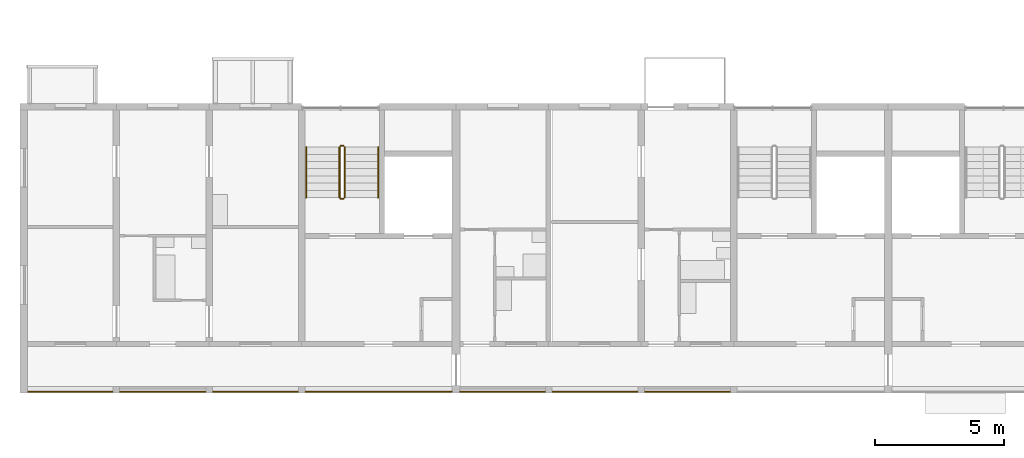
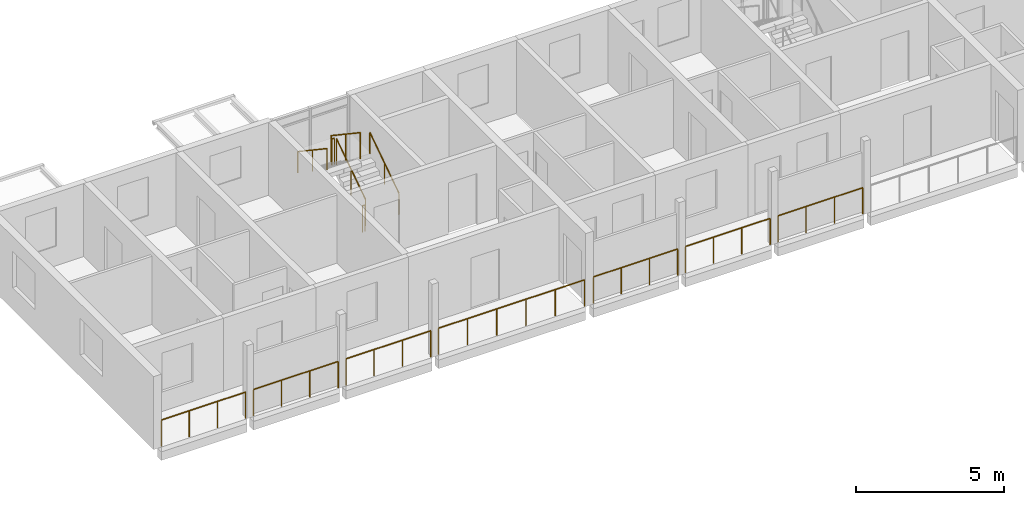
# One storey, part 73 of 100: 13 railings.
"""IFC4 building model written with IfcOpenShell, lengths in metres."""

from ifc_helpers import new_model, si_unit, direction, frame, origin, origin_2d, place, context, subcontext, project, spatial, circle, extrude, material, type_object, element, save


model = new_model("IFC4")

# Units and contexts
model_context = context("Model", 3, precision=1e-05, world=origin(), true_north=direction((0.0, 1.0)))
body_context = subcontext(model_context, "Body", "Model", "MODEL_VIEW")
ifc_project = project(units=[si_unit("LENGTHUNIT", "METRE"), si_unit("AREAUNIT", "SQUARE_METRE"), si_unit("VOLUMEUNIT", "CUBIC_METRE"), si_unit("PLANEANGLEUNIT", "RADIAN"), si_unit("MASSUNIT", "GRAM", prefix="KILO")], contexts=[model_context])

# Site, building, storey
site_placement = place(None, origin())
site = spatial("IfcSite", under=ifc_project, at=site_placement, CompositionType="ELEMENT")
building_placement = place(site_placement, origin())
building = spatial("IfcBuilding", under=site, at=building_placement, Name="Ridgestep Commons", CompositionType="ELEMENT")
storey_placement = place(building_placement, frame((0.0, 0.0, 9.0)))
storey = spatial("IfcBuildingStorey", under=building, at=storey_placement, Name="L03", CompositionType="ELEMENT", Elevation=9.0)

# Railings
ifc_material_1 = material(Name="Structural steel S355JR", Category="steel")
railing_type_1 = type_object("IfcRailingType", Name="Guard 1100", PredefinedType="GUARDRAIL", material=ifc_material_1)
railing_1_placement = place(storey_placement, frame((12.1708984375, 11.800048828125, 0.0)))
element("IfcRailing", 1, at=railing_1_placement, inside=storey, type_object=railing_type_1, Name="Gallery guard A 03.1", PredefinedType="GUARDRAIL", context=body_context, shape_type="SweptSolid", body=[
    extrude(circle(Radius=0.02392578125, at=origin_2d()), frame((0.0, 0.0, 1.076171875), z_axis=(1.0, 0.0, 0.0), x_axis=(0.0, 1.0, 0.0)), (0.0, 0.0, 1.0), 3.283203125),
    extrude(circle(Radius=0.02099609375, at=origin_2d()), origin(), (0.0, 0.0, 1.0), 1.052001953125),
    extrude(circle(Radius=0.02099609375, at=origin_2d()), frame((1.094482421875, 0.0, 0.0)), (0.0, 0.0, 1.0), 1.052001953125),
    extrude(circle(Radius=0.02099609375, at=origin_2d()), frame((2.188720703125, 0.0, 0.0)), (0.0, 0.0, 1.0), 1.052001953125),
    extrude(circle(Radius=0.02099609375, at=origin_2d()), frame((3.283203125, 0.0, 0.0)), (0.0, 0.0, 1.0), 1.052001953125),
])
railing_2_placement = place(storey_placement, frame((15.74609375, 11.800048828125, 0.0)))
element("IfcRailing", 2, at=railing_2_placement, inside=storey, type_object=railing_type_1, Name="Gallery guard A 03.2", PredefinedType="GUARDRAIL", context=body_context, shape_type="SweptSolid", body=[
    extrude(circle(Radius=0.02392578125, at=origin_2d()), frame((0.0, 0.0, 1.076171875), z_axis=(1.0, 0.0, 0.0), x_axis=(0.0, 1.0, 0.0)), (0.0, 0.0, 1.0), 3.307861328125),
    extrude(circle(Radius=0.02099609375, at=origin_2d()), origin(), (0.0, 0.0, 1.0), 1.052001953125),
    extrude(circle(Radius=0.02099609375, at=origin_2d()), frame((1.1025390625, 0.0, 0.0)), (0.0, 0.0, 1.0), 1.052001953125),
    extrude(circle(Radius=0.02099609375, at=origin_2d()), frame((2.205322265625, 0.0, 0.0)), (0.0, 0.0, 1.0), 1.052001953125),
    extrude(circle(Radius=0.02099609375, at=origin_2d()), frame((3.307861328125, 0.0, 0.0)), (0.0, 0.0, 1.0), 1.052001953125),
])
railing_3_placement = place(storey_placement, frame((19.345947265625, 11.800048828125, 0.0)))
element("IfcRailing", 3, at=railing_3_placement, inside=storey, type_object=railing_type_1, Name="Gallery guard A 03.3", PredefinedType="GUARDRAIL", context=body_context, shape_type="SweptSolid", body=[
    extrude(circle(Radius=0.02392578125, at=origin_2d()), frame((0.0, 0.0, 1.076171875), z_axis=(1.0, 0.0, 0.0), x_axis=(0.0, 1.0, 0.0)), (0.0, 0.0, 1.0), 3.30810546875),
    extrude(circle(Radius=0.02099609375, at=origin_2d()), origin(), (0.0, 0.0, 1.0), 1.052001953125),
    extrude(circle(Radius=0.02099609375, at=origin_2d()), frame((1.102783203125, 0.0, 0.0)), (0.0, 0.0, 1.0), 1.052001953125),
    extrude(circle(Radius=0.02099609375, at=origin_2d()), frame((2.205322265625, 0.0, 0.0)), (0.0, 0.0, 1.0), 1.052001953125),
    extrude(circle(Radius=0.02099609375, at=origin_2d()), frame((3.30810546875, 0.0, 0.0)), (0.0, 0.0, 1.0), 1.052001953125),
])
railing_4_placement = place(storey_placement, frame((22.946044921875, 11.800048828125, 0.0)))
element("IfcRailing", 4, at=railing_4_placement, inside=storey, type_object=railing_type_1, Name="Gallery guard A 03.4", PredefinedType="GUARDRAIL", context=body_context, shape_type="SweptSolid", body=[
    extrude(circle(Radius=0.02392578125, at=origin_2d()), frame((0.0, 0.0, 1.076171875), z_axis=(1.0, 0.0, 0.0), x_axis=(0.0, 1.0, 0.0)), (0.0, 0.0, 1.0), 5.682861328125),
    extrude(circle(Radius=0.02099609375, at=origin_2d()), origin(), (0.0, 0.0, 1.0), 1.052001953125),
    extrude(circle(Radius=0.02099609375, at=origin_2d()), frame((1.136474609375, 0.0, 0.0)), (0.0, 0.0, 1.0), 1.052001953125),
    extrude(circle(Radius=0.02099609375, at=origin_2d()), frame((2.273193359375, 0.0, 0.0)), (0.0, 0.0, 1.0), 1.052001953125),
    extrude(circle(Radius=0.02099609375, at=origin_2d()), frame((3.40966796875, 0.0, 0.0)), (0.0, 0.0, 1.0), 1.052001953125),
    extrude(circle(Radius=0.02099609375, at=origin_2d()), frame((4.54638671875, 0.0, 0.0)), (0.0, 0.0, 1.0), 1.052001953125),
    extrude(circle(Radius=0.02099609375, at=origin_2d()), frame((5.682861328125, 0.0, 0.0)), (0.0, 0.0, 1.0), 1.052001953125),
])
railing_5_placement = place(storey_placement, frame((28.970947265625, 11.800048828125, 0.0)))
element("IfcRailing", 5, at=railing_5_placement, inside=storey, type_object=railing_type_1, Name="Gallery guard A 03.5", PredefinedType="GUARDRAIL", context=body_context, shape_type="SweptSolid", body=[
    extrude(circle(Radius=0.02392578125, at=origin_2d()), frame((0.0, 0.0, 1.076171875), z_axis=(1.0, 0.0, 0.0), x_axis=(0.0, 1.0, 0.0)), (0.0, 0.0, 1.0), 3.282958984375),
    extrude(circle(Radius=0.02099609375, at=origin_2d()), origin(), (0.0, 0.0, 1.0), 1.052001953125),
    extrude(circle(Radius=0.02099609375, at=origin_2d()), frame((1.09423828125, 0.0, 0.0)), (0.0, 0.0, 1.0), 1.052001953125),
    extrude(circle(Radius=0.02099609375, at=origin_2d()), frame((2.188720703125, 0.0, 0.0)), (0.0, 0.0, 1.0), 1.052001953125),
    extrude(circle(Radius=0.02099609375, at=origin_2d()), frame((3.282958984375, 0.0, 0.0)), (0.0, 0.0, 1.0), 1.052001953125),
])
for number, where, name in (
    (6, (32.5458984375, 11.800048828125, 0.0), "Gallery guard A 03.6"),
    (7, (36.14599609375, 11.800048828125, 0.0), "Gallery guard A 03.7"),
):
    element("IfcRailing", number, at=place(storey_placement, frame(where)), inside=storey, type_object=railing_type_1, Name=name, PredefinedType="GUARDRAIL", context=body_context, shape_type="SweptSolid", body=[
        extrude(circle(Radius=0.02392578125, at=origin_2d()), frame((0.0, 0.0, 1.076171875), z_axis=(1.0, 0.0, 0.0), x_axis=(0.0, 1.0, 0.0)), (0.0, 0.0, 1.0), 3.30810546875),
        extrude(circle(Radius=0.02099609375, at=origin_2d()), origin(), (0.0, 0.0, 1.0), 1.052001953125),
        extrude(circle(Radius=0.02099609375, at=origin_2d()), frame((1.102783203125, 0.0, 0.0)), (0.0, 0.0, 1.0), 1.052001953125),
        extrude(circle(Radius=0.02099609375, at=origin_2d()), frame((2.205322265625, 0.0, 0.0)), (0.0, 0.0, 1.0), 1.052001953125),
        extrude(circle(Radius=0.02099609375, at=origin_2d()), frame((3.30810546875, 0.0, 0.0)), (0.0, 0.0, 1.0), 1.052001953125),
    ])
ifc_material_2 = material(Name="Structural steel S355JR", Category="steel")
railing_type_2 = type_object("IfcRailingType", Name="Stair guard 1100", PredefinedType="GUARDRAIL", material=ifc_material_2)
railing_6_placement = place(storey_placement, frame((24.47509765625, 19.35009765625, 0.1875)))
element("IfcRailing", 8, at=railing_6_placement, inside=storey, type_object=railing_type_2, Name="L03 A1C stair guard 1", PredefinedType="GUARDRAIL", context=body_context, shape_type="SweptSolid", body=[
    extrude(circle(Radius=0.02392578125, at=origin_2d()), frame((0.0, 0.0, 1.076171875), z_axis=(0.0, 0.830902050051, 0.556418712142), x_axis=(-1.0, 0.0, 0.0)), (0.0, 0.0, 1.0), 2.35888671875),
    extrude(circle(Radius=0.02099609375, at=origin_2d()), origin(), (0.0, 0.0, 1.0), 1.052001953125),
    extrude(circle(Radius=0.02099609375, at=origin_2d()), frame((0.0, 0.97998046875, 0.65625)), (0.0, 0.0, 1.0), 1.052001953125),
    extrude(circle(Radius=0.02099609375, at=origin_2d()), frame((0.0, 1.9599609375, 1.3125)), (0.0, 0.0, 1.0), 1.052001953125),
])
railing_7_placement = place(storey_placement, frame((24.425048828125, 21.360107421875, 1.5)))
element("IfcRailing", 9, at=railing_7_placement, inside=storey, type_object=railing_type_2, Name="L03 A1C stair guard 2", PredefinedType="GUARDRAIL", context=body_context, shape_type="SweptSolid", body=[
    extrude(circle(Radius=0.02392578125, at=origin_2d()), frame((0.0, 0.0, 1.076171875), z_axis=(-1.0, 0.0, 0.0), x_axis=(0.0, -1.0, 0.0)), (0.0, 0.0, 1.0), 0.10009765625),
    extrude(circle(Radius=0.02099609375, at=origin_2d()), origin(), (0.0, 0.0, 1.0), 1.052001953125),
    extrude(circle(Radius=0.02099609375, at=origin_2d()), frame((-0.10009765625, 0.0, 0.0)), (0.0, 0.0, 1.0), 1.052001953125),
])
railing_8_placement = place(storey_placement, frame((24.27490234375, 21.31005859375, 1.6875)))
element("IfcRailing", 10, at=railing_8_placement, inside=storey, type_object=railing_type_2, Name="L03 A1C stair guard 3", PredefinedType="GUARDRAIL", context=body_context, shape_type="SweptSolid", body=[
    extrude(circle(Radius=0.02392578125, at=origin_2d()), frame((0.0, 0.0, 1.076171875), z_axis=(0.0, -0.830902050051, 0.556418712142), x_axis=(1.0, 0.0, 0.0)), (0.0, 0.0, 1.0), 2.35888671875),
    extrude(circle(Radius=0.02099609375, at=origin_2d()), origin(), (0.0, 0.0, 1.0), 1.052001953125),
    extrude(circle(Radius=0.02099609375, at=origin_2d()), frame((0.0, -0.97998046875, 0.65625)), (0.0, 0.0, 1.0), 1.052001953125),
    extrude(circle(Radius=0.02099609375, at=origin_2d()), frame((0.0, -1.9599609375, 1.3125)), (0.0, 0.0, 1.0), 1.052001953125),
])
railing_9_placement = place(storey_placement, frame((24.425048828125, 19.300048828125, 0.0)))
element("IfcRailing", 11, at=railing_9_placement, inside=storey, type_object=railing_type_2, Name="L03 A1C stair guard 4", PredefinedType="GUARDRAIL", context=body_context, shape_type="SweptSolid", body=[
    extrude(circle(Radius=0.02392578125, at=origin_2d()), frame((0.0, 0.0, 1.076171875), z_axis=(-1.0, 0.0, 0.0), x_axis=(0.0, -1.0, 0.0)), (0.0, 0.0, 1.0), 0.10009765625),
    extrude(circle(Radius=0.02099609375, at=origin_2d()), origin(), (0.0, 0.0, 1.0), 1.052001953125),
    extrude(circle(Radius=0.02099609375, at=origin_2d()), frame((-0.10009765625, 0.0, 0.0)), (0.0, 0.0, 1.0), 1.052001953125),
])
ifc_material_3 = material(Name="Structural steel S355JR", Category="steel")
railing_type_3 = type_object("IfcRailingType", Name="Stair handrail 900", PredefinedType="HANDRAIL", material=ifc_material_3)
railing_10_placement = place(storey_placement, frame((25.77490234375, 19.35009765625, 0.1875)))
element("IfcRailing", 12, at=railing_10_placement, inside=storey, type_object=railing_type_3, Name="L03 A1C stair handrail 1", PredefinedType="HANDRAIL", context=body_context, shape_type="SweptSolid", body=[
    extrude(circle(Radius=0.02392578125, at=origin_2d()), frame((0.0, 0.0, 0.8759765625), z_axis=(0.0, 0.830902050051, 0.556418712142), x_axis=(-1.0, 0.0, 0.0)), (0.0, 0.0, 1.0), 2.35888671875),
    extrude(circle(Radius=0.02099609375, at=origin_2d()), origin(), (0.0, 0.0, 1.0), 0.851806640625),
    extrude(circle(Radius=0.02099609375, at=origin_2d()), frame((0.0, 0.97998046875, 0.65625)), (0.0, 0.0, 1.0), 0.851806640625),
    extrude(circle(Radius=0.02099609375, at=origin_2d()), frame((0.0, 1.9599609375, 1.3125)), (0.0, 0.0, 1.0), 0.851806640625),
])
railing_11_placement = place(storey_placement, frame((22.97509765625, 21.31005859375, 1.6875)))
element("IfcRailing", 13, at=railing_11_placement, inside=storey, type_object=railing_type_3, Name="L03 A1C stair handrail 2", PredefinedType="HANDRAIL", context=body_context, shape_type="SweptSolid", body=[
    extrude(circle(Radius=0.02392578125, at=origin_2d()), frame((0.0, 0.0, 0.8759765625), z_axis=(0.0, -0.830902050051, 0.556418712142), x_axis=(1.0, 0.0, 0.0)), (0.0, 0.0, 1.0), 2.35888671875),
    extrude(circle(Radius=0.02099609375, at=origin_2d()), origin(), (0.0, 0.0, 1.0), 0.851806640625),
    extrude(circle(Radius=0.02099609375, at=origin_2d()), frame((0.0, -0.97998046875, 0.65625)), (0.0, 0.0, 1.0), 0.851806640625),
    extrude(circle(Radius=0.02099609375, at=origin_2d()), frame((0.0, -1.9599609375, 1.3125)), (0.0, 0.0, 1.0), 0.851806640625),
])

save(model, "model.ifc")
